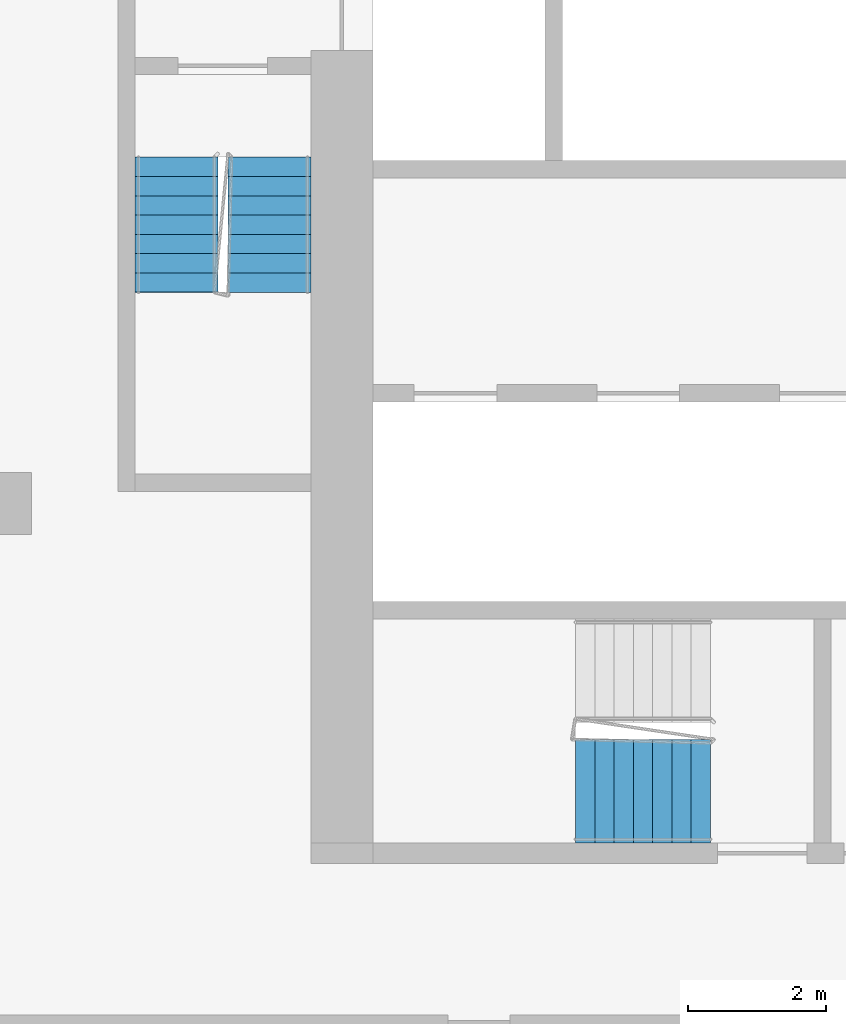
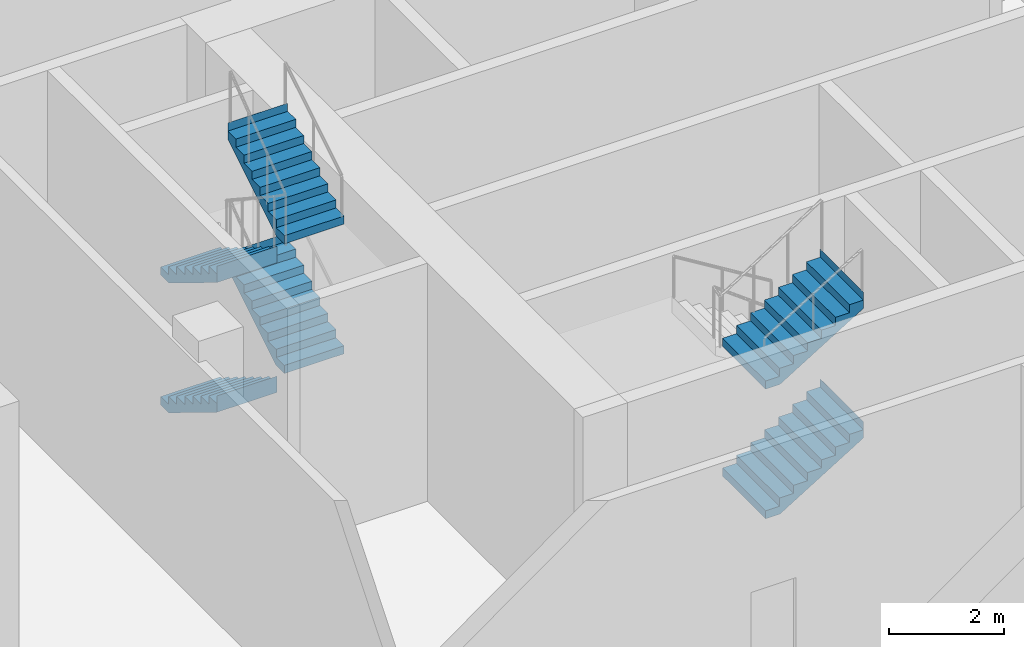
# One storey, part 14 of 21: 6 stair flights, 2 elements without a shape of their own.
"""IFC4 building model written with IfcOpenShell, lengths in metres."""

import ifcopenshell
import ifcopenshell.guid

model = None  # the IFC model being written
_history = None  # IfcOwnerHistory: only IFC2X3 demands one
_inside = {}  # id of a spatial element -> (the spatial element, [elements in it])
_under = {}  # id of a project, library or spatial element -> (it, [spatial elements below it])
_declared = {}  # id of a project -> (the project, [libraries it declares])
_typed = {}  # id of a type object -> (the type object, [elements of that type])
_made_of = {}  # id of a material, layer set ... -> (it, [elements and type objects made of it])


def new_model(schema):
    """Start an empty IFC model of exactly this schema.

    Asked for "IFC4X3", IfcOpenShell would pick the latest addendum, in which some entities
    have other attributes; the version numbers below select the first issue.
    IFC2X3 requires an IfcOwnerHistory on every rooted entity: one is made here for all.
    """
    global model, _history
    if schema == "IFC4X3":
        model = ifcopenshell.file(schema_version=(4, 3, 0, 0))
    else:
        model = ifcopenshell.file(schema=schema)
    _inside.clear()
    _under.clear()
    _declared.clear()
    _typed.clear()
    _made_of.clear()
    _history = None
    if model.schema == "IFC2X3":
        org = make("IfcOrganization", Name="unknown")
        user = make(
            "IfcPersonAndOrganization",
            ThePerson=make("IfcPerson", FamilyName="unknown"),
            TheOrganization=org,
        )
        app = make(
            "IfcApplication",
            ApplicationDeveloper=org,
            Version="unknown",
            ApplicationFullName="unknown",
            ApplicationIdentifier="unknown",
        )
        _history = make(
            "IfcOwnerHistory",
            OwningUser=user,
            OwningApplication=app,
            ChangeAction="ADDED",
            CreationDate=0,
        )
    return model


def make(cls, **values):
    """One entity of the class cls with the attributes given. An attribute that is None is left unset."""
    return model.create_entity(
        cls, **{name: value for name, value in values.items() if value is not None}
    )


def rooted(cls, **values):
    """An entity with a GlobalId (a new one), such as an element, a storey or a relation."""
    return make(cls, GlobalId=ifcopenshell.guid.new(), OwnerHistory=_history, **values)


def si_unit(unit_type, name, prefix=None):
    """IfcSIUnit, for example si_unit("LENGTHUNIT", "METRE", prefix="MILLI")."""
    return make("IfcSIUnit", UnitType=unit_type, Prefix=prefix, Name=name)


def assignment(units):
    """IfcUnitAssignment: the units of a project."""
    return None if units is None else make("IfcUnitAssignment", Units=units)


def point(xyz):
    """IfcCartesianPoint."""
    return None if xyz is None else make("IfcCartesianPoint", Coordinates=xyz)


def direction(xyz):
    """IfcDirection."""
    return None if xyz is None else make("IfcDirection", DirectionRatios=xyz)


def frame(location, z_axis=None, x_axis=None):
    """IfcAxis2Placement3D, a coordinate frame: its origin and axes. An axis left out is left unset."""
    return make(
        "IfcAxis2Placement3D",
        Location=point(location),
        Axis=direction(z_axis),
        RefDirection=direction(x_axis),
    )


def origin():
    """The frame at (0, 0, 0) with its axes left unset."""
    return frame((0.0, 0.0, 0.0))


def place(relative_to, where):
    """IfcLocalPlacement: puts the frame where relative to a parent placement (None: the world)."""
    return make(
        "IfcLocalPlacement", PlacementRelTo=relative_to, RelativePlacement=where
    )


def context(
    kind, dimensions, precision=None, world=None, true_north=None, identifier=None
):
    """IfcGeometricRepresentationContext, for example the 3D "Model" context."""
    return make(
        "IfcGeometricRepresentationContext",
        ContextIdentifier=identifier,
        ContextType=kind,
        CoordinateSpaceDimension=dimensions,
        Precision=precision,
        WorldCoordinateSystem=world,
        TrueNorth=true_north,
    )


def subcontext(parent, identifier, kind, view, scale=None):
    """IfcGeometricRepresentationSubContext, for example "Body" below "Model"."""
    return make(
        "IfcGeometricRepresentationSubContext",
        ContextIdentifier=identifier,
        ContextType=kind,
        ParentContext=parent,
        TargetScale=scale,
        TargetView=view,
    )


def project(units=None, contexts=None):
    """IfcProject with its units and contexts."""
    return rooted(
        "IfcProject",
        Name="project",
        RepresentationContexts=contexts,
        UnitsInContext=assignment(units),
    )


def spatial(cls, under=None, at=None, **own):
    """A site, building, storey or space (cls), placed at a placement, below another one or the project."""
    s = rooted(cls, ObjectPlacement=at, **own)
    if under is not None:
        _under.setdefault(under.id(), (under, []))[1].append(s)
    return s


def faces_of(points, faces, orient=None, outer=None):
    """IfcFace entities. A face is a list of loops; a loop is a list of indices into points, from 0.

    orient and outer hold one flag for each loop. By default every Orientation is true, the
    first loop of a face is its IfcFaceOuterBound and the others are IfcFaceBound.
    """
    made = []
    for i, loops in enumerate(faces):
        bounds = []
        for j, loop in enumerate(loops):
            is_outer = j == 0 if outer is None else outer[i][j]
            bounds.append(
                make(
                    "IfcFaceOuterBound" if is_outer else "IfcFaceBound",
                    Bound=make("IfcPolyLoop", Polygon=[points[k] for k in loop]),
                    Orientation=True if orient is None else orient[i][j],
                )
            )
        made.append(make("IfcFace", Bounds=bounds))
    return made


def faceted_brep(points, faces, orient=None, outer=None, voids=None):
    """IfcFacetedBrep: a solid bounded by flat faces; with voids (closed shells), ...WithVoids."""
    shared = [point(p) for p in points]
    hull = make("IfcClosedShell", CfsFaces=faces_of(shared, faces, orient, outer))
    if voids is None:
        return make("IfcFacetedBrep", Outer=hull)
    return make(
        "IfcFacetedBrepWithVoids",
        Outer=hull,
        Voids=[
            make(cls, CfsFaces=faces_of(shared, fs, o, b)) for cls, fs, o, b in voids
        ],
    )


def shape(context_of_items, identifier, shape_type, items):
    """IfcShapeRepresentation: the items that make up one representation, for example the "Body"."""
    return make(
        "IfcShapeRepresentation",
        ContextOfItems=context_of_items,
        RepresentationIdentifier=identifier,
        RepresentationType=shape_type,
        Items=items,
    )


def material(Name=None, Category=None):
    """IfcMaterial."""
    return make("IfcMaterial", Name=Name, Category=Category)


def made_of(thing, what):
    """Note that an element or type object is made of a material, layer set ...; save() writes the relation."""
    if what is not None:
        _made_of.setdefault(what.id(), (what, []))[1].append(thing)
    return thing


def type_object(cls, material=None, **own):
    """A type object (cls), such as IfcWallType, which elements share."""
    return made_of(rooted(cls, **own), material)


def element(
    cls,
    number,
    at=None,
    inside=None,
    cuts=None,
    type_object=None,
    material=None,
    context=None,
    identifier="Body",
    shape_type=None,
    held_by="IfcProductDefinitionShape",
    body=None,
    shapes=None,
    **own,
):
    """One element of the class cls, such as IfcWall. Its Tag is "e" and its number.

    at: its placement. inside: the storey or other place that contains it. cuts: it is an
    opening in that element (IfcRelVoidsElement). A single representation is given by context,
    identifier, shape_type and body (its items); several are given by shapes. held_by: the class
    of the entity that holds the representations. save() writes the other relations.
    """
    e = rooted(cls, Tag="e%d" % number, ObjectPlacement=at, **own)
    if body is not None:
        shapes = [shape(context, identifier, shape_type, body)]
    if shapes is not None:
        e.Representation = make(held_by, Representations=shapes)
    if inside is not None:
        _inside.setdefault(inside.id(), (inside, []))[1].append(e)
    if cuts is not None:
        rooted(
            "IfcRelVoidsElement", RelatingBuildingElement=cuts, RelatedOpeningElement=e
        )
    if type_object is not None:
        _typed.setdefault(type_object.id(), (type_object, []))[1].append(e)
    return made_of(e, material)


def aggregate(whole, parts):
    """IfcRelAggregates: a whole, such as a stair, and the parts it consists of."""
    return rooted("IfcRelAggregates", RelatingObject=whole, RelatedObjects=parts)


def save(model, path):
    """Write the relations noted so far, then the file.

    IfcRelAggregates (storeys below a building ...), IfcRelContainedInSpatialStructure (elements
    in a storey), IfcRelDefinesByType, IfcRelAssociatesMaterial and IfcRelDeclares: one each for
    every whole, place, type object, material and project.
    """
    for whole, parts in _under.values():
        aggregate(whole, parts)
    for where, things in _inside.values():
        rooted(
            "IfcRelContainedInSpatialStructure",
            RelatedElements=things,
            RelatingStructure=where,
        )
    for kind, things in _typed.values():
        rooted("IfcRelDefinesByType", RelatedObjects=things, RelatingType=kind)
    for what, things in _made_of.values():
        rooted("IfcRelAssociatesMaterial", RelatedObjects=things, RelatingMaterial=what)
    for by, libraries in _declared.values():
        rooted("IfcRelDeclares", RelatingContext=by, RelatedDefinitions=libraries)
    model.write(path)


model = new_model("IFC4")

# Units and contexts
model_context = context("Model", 3, precision=1e-05, world=origin(), true_north=direction((0.0, 1.0)))
body_context = subcontext(model_context, "Body", "Model", "MODEL_VIEW")
ifc_project = project(units=[si_unit("LENGTHUNIT", "METRE"), si_unit("AREAUNIT", "SQUARE_METRE"), si_unit("VOLUMEUNIT", "CUBIC_METRE"), si_unit("PLANEANGLEUNIT", "RADIAN"), si_unit("MASSUNIT", "GRAM", prefix="KILO")], contexts=[model_context])

# Site, building, storey
site_placement = place(None, origin())
site = spatial("IfcSite", under=ifc_project, at=site_placement, CompositionType="ELEMENT")
building_placement = place(site_placement, origin())
building = spatial("IfcBuilding", under=site, at=building_placement, Name="Kajstack Hotel Tower", CompositionType="ELEMENT")
storey_placement = place(building_placement, frame((0.0, 0.0, 23.5)))
storey = spatial("IfcBuildingStorey", under=building, at=storey_placement, Name="L03", CompositionType="ELEMENT", Elevation=23.5)

# Stair, stair flights
ifc_material = material(Name="Concrete C40/50", Category="concrete")
stair_type_1 = type_object("IfcStairType", Name="Exit stair 1200", PredefinedType="HALF_TURN_STAIR", material=ifc_material)
stair_1_placement = place(storey_placement, origin())
stair_1 = element("IfcStair", 1, at=stair_1_placement, inside=storey, type_object=stair_type_1, Name="L03 stair W1", PredefinedType="HALF_TURN_STAIR")
stair_flight_type_1 = type_object("IfcStairFlightType", Name="Exit stair flight 1200", PredefinedType="STRAIGHT", material=ifc_material)
stair_flight_1_placement = place(storey_placement, frame((-33.449951171875, -5.25, 0.0), z_axis=(0.0, 0.0, 1.0), x_axis=(0.0, -1.0, 0.0)))
stair_flight_1 = element("IfcStairFlight", 2, at=stair_flight_1_placement, type_object=stair_flight_type_1, Name="W1 flight 1", NumberOfRisers=8, NumberOfTreads=7, PredefinedType="STRAIGHT", RiserHeight=0.171875, TreadLength=0.28, context=body_context, shape_type="Brep", body=[
    faceted_brep([(0.287109375, -0.60009765625, 0.0), (1.96044921875, -0.60009765625, 1.02734375), (1.96044921875, -0.60009765625, 1.375), (1.9599609375, -0.60009765625, 1.375), (1.9599609375, -0.60009765625, 1.203125), (1.679931640625, -0.60009765625, 1.203125), (1.679931640625, -0.60009765625, 1.03125), (1.39990234375, -0.60009765625, 1.03125), (1.39990234375, -0.60009765625, 0.859375), (1.1201171875, -0.60009765625, 0.859375), (1.1201171875, -0.60009765625, 0.6875), (0.840087890625, -0.60009765625, 0.6875), (0.840087890625, -0.60009765625, 0.515625), (0.56005859375, -0.60009765625, 0.515625), (0.56005859375, -0.60009765625, 0.34375), (0.280029296875, -0.60009765625, 0.34375), (0.280029296875, -0.60009765625, 0.171875), (-0.00048828125, -0.60009765625, 0.171875), (-0.00048828125, -0.60009765625, 0.0), (-0.00048828125, 0.60009765625, 0.0), (-0.00048828125, 0.60009765625, 0.171875), (0.280029296875, 0.60009765625, 0.171875), (0.280029296875, 0.60009765625, 0.34375), (0.56005859375, 0.60009765625, 0.34375), (0.56005859375, 0.60009765625, 0.515625), (0.840087890625, 0.60009765625, 0.515625), (0.840087890625, 0.60009765625, 0.6875), (1.1201171875, 0.60009765625, 0.6875), (1.1201171875, 0.60009765625, 0.859375), (1.39990234375, 0.60009765625, 0.859375), (1.39990234375, 0.60009765625, 1.03125), (1.679931640625, 0.60009765625, 1.03125), (1.679931640625, 0.60009765625, 1.203125), (1.9599609375, 0.60009765625, 1.203125), (1.9599609375, 0.60009765625, 1.375), (1.96044921875, 0.60009765625, 1.375), (1.96044921875, 0.60009765625, 1.02734375), (0.287109375, 0.60009765625, 0.0), (-0.00048828125, -0.300048828125, 0.171875), (-0.00048828125, 0.0, 0.171875), (-0.00048828125, 0.300048828125, 0.171875), (-0.00048828125, 0.300048828125, 0.0), (-0.00048828125, 0.0, 0.0), (-0.00048828125, -0.300048828125, 0.0), (0.280029296875, -0.300048828125, 0.171875), (0.280029296875, 0.0, 0.171875), (0.280029296875, 0.300048828125, 0.171875), (0.280029296875, -0.300048828125, 0.34375), (0.280029296875, 0.0, 0.34375), (0.280029296875, 0.300048828125, 0.34375), (0.56005859375, -0.300048828125, 0.34375), (0.56005859375, 0.0, 0.34375), (0.56005859375, 0.300048828125, 0.34375), (0.56005859375, -0.300048828125, 0.515625), (0.56005859375, 0.0, 0.515625), (0.56005859375, 0.300048828125, 0.515625), (0.840087890625, -0.300048828125, 0.515625), (0.840087890625, 0.0, 0.515625), (0.840087890625, 0.300048828125, 0.515625), (0.840087890625, -0.300048828125, 0.6875), (0.840087890625, 0.0, 0.6875), (0.840087890625, 0.300048828125, 0.6875), (1.1201171875, -0.300048828125, 0.6875), (1.1201171875, 0.0, 0.6875), (1.1201171875, 0.300048828125, 0.6875), (1.1201171875, -0.300048828125, 0.859375), (1.1201171875, 0.0, 0.859375), (1.1201171875, 0.300048828125, 0.859375), (1.39990234375, -0.300048828125, 0.859375), (1.39990234375, 0.0, 0.859375), (1.39990234375, 0.300048828125, 0.859375), (1.39990234375, -0.300048828125, 1.03125), (1.39990234375, 0.0, 1.03125), (1.39990234375, 0.300048828125, 1.03125), (1.679931640625, -0.300048828125, 1.03125), (1.679931640625, 0.0, 1.03125), (1.679931640625, 0.300048828125, 1.03125), (1.679931640625, -0.300048828125, 1.203125), (1.679931640625, 0.0, 1.203125), (1.679931640625, 0.300048828125, 1.203125), (1.9599609375, -0.300048828125, 1.203125), (1.9599609375, 0.0, 1.203125), (1.9599609375, 0.300048828125, 1.203125), (1.9599609375, -0.300048828125, 1.375), (1.9599609375, 0.0, 1.375), (1.9599609375, 0.300048828125, 1.375), (1.96044921875, -0.300048828125, 1.375), (1.96044921875, 0.0, 1.375), (1.96044921875, 0.300048828125, 1.375), (1.96044921875, -0.300048828125, 1.02734375), (1.96044921875, 0.0, 1.02734375), (1.96044921875, 0.300048828125, 1.02734375), (0.287109375, -0.300048828125, 0.0), (0.287109375, 0.0, 0.0), (0.287109375, 0.300048828125, 0.0)], [[[0, 1, 2, 3, 4, 5, 6, 7, 8, 9, 10, 11, 12, 13, 14, 15, 16, 17, 18]], [[19, 20, 21, 22, 23, 24, 25, 26, 27, 28, 29, 30, 31, 32, 33, 34, 35, 36, 37]], [[17, 38, 39, 40, 20, 19, 41, 42, 43, 18]], [[16, 44, 45, 46, 21, 20, 40, 39, 38, 17]], [[15, 47, 48, 49, 22, 21, 46, 45, 44, 16]], [[14, 50, 51, 52, 23, 22, 49, 48, 47, 15]], [[13, 53, 54, 55, 24, 23, 52, 51, 50, 14]], [[12, 56, 57, 58, 25, 24, 55, 54, 53, 13]], [[11, 59, 60, 61, 26, 25, 58, 57, 56, 12]], [[10, 62, 63, 64, 27, 26, 61, 60, 59, 11]], [[9, 65, 66, 67, 28, 27, 64, 63, 62, 10]], [[8, 68, 69, 70, 29, 28, 67, 66, 65, 9]], [[7, 71, 72, 73, 30, 29, 70, 69, 68, 8]], [[6, 74, 75, 76, 31, 30, 73, 72, 71, 7]], [[5, 77, 78, 79, 32, 31, 76, 75, 74, 6]], [[4, 80, 81, 82, 33, 32, 79, 78, 77, 5]], [[3, 83, 84, 85, 34, 33, 82, 81, 80, 4]], [[2, 86, 87, 88, 35, 34, 85, 84, 83, 3]], [[1, 89, 90, 91, 36, 35, 88, 87, 86, 2]], [[0, 92, 93, 94, 37, 36, 91, 90, 89, 1]], [[18, 43, 42, 41, 19, 37, 94, 93, 92, 0]]]),
])
stair_flight_2_placement = place(storey_placement, frame((-32.10009765625, -7.2099609375, 1.375), z_axis=(0.0, 0.0, 1.0), x_axis=(0.0, 1.0, 0.0)))
stair_flight_2 = element("IfcStairFlight", 3, at=stair_flight_2_placement, type_object=stair_flight_type_1, Name="W1 flight 2", NumberOfRisers=8, NumberOfTreads=7, PredefinedType="STRAIGHT", RiserHeight=0.171875, TreadLength=0.28, context=body_context, shape_type="Brep", body=[
    faceted_brep([(0.287109375, -0.60009765625, 0.0), (1.96044921875, -0.60009765625, 1.02734375), (1.96044921875, -0.60009765625, 1.375), (1.9599609375, -0.60009765625, 1.375), (1.9599609375, -0.60009765625, 1.203125), (1.679931640625, -0.60009765625, 1.203125), (1.679931640625, -0.60009765625, 1.03125), (1.39990234375, -0.60009765625, 1.03125), (1.39990234375, -0.60009765625, 0.859375), (1.1201171875, -0.60009765625, 0.859375), (1.1201171875, -0.60009765625, 0.6875), (0.840087890625, -0.60009765625, 0.6875), (0.840087890625, -0.60009765625, 0.515625), (0.56005859375, -0.60009765625, 0.515625), (0.56005859375, -0.60009765625, 0.34375), (0.280029296875, -0.60009765625, 0.34375), (0.280029296875, -0.60009765625, 0.171875), (-0.00048828125, -0.60009765625, 0.171875), (-0.00048828125, -0.60009765625, 0.0), (-0.00048828125, 0.60009765625, 0.0), (-0.00048828125, 0.60009765625, 0.171875), (0.280029296875, 0.60009765625, 0.171875), (0.280029296875, 0.60009765625, 0.34375), (0.56005859375, 0.60009765625, 0.34375), (0.56005859375, 0.60009765625, 0.515625), (0.840087890625, 0.60009765625, 0.515625), (0.840087890625, 0.60009765625, 0.6875), (1.1201171875, 0.60009765625, 0.6875), (1.1201171875, 0.60009765625, 0.859375), (1.39990234375, 0.60009765625, 0.859375), (1.39990234375, 0.60009765625, 1.03125), (1.679931640625, 0.60009765625, 1.03125), (1.679931640625, 0.60009765625, 1.203125), (1.9599609375, 0.60009765625, 1.203125), (1.9599609375, 0.60009765625, 1.375), (1.96044921875, 0.60009765625, 1.375), (1.96044921875, 0.60009765625, 1.02734375), (0.287109375, 0.60009765625, 0.0), (-0.00048828125, -0.300048828125, 0.171875), (-0.00048828125, 0.0, 0.171875), (-0.00048828125, 0.300048828125, 0.171875), (-0.00048828125, 0.300048828125, 0.0), (-0.00048828125, 0.0, 0.0), (-0.00048828125, -0.300048828125, 0.0), (0.280029296875, -0.300048828125, 0.171875), (0.280029296875, 0.0, 0.171875), (0.280029296875, 0.300048828125, 0.171875), (0.280029296875, -0.300048828125, 0.34375), (0.280029296875, 0.0, 0.34375), (0.280029296875, 0.300048828125, 0.34375), (0.56005859375, -0.300048828125, 0.34375), (0.56005859375, 0.0, 0.34375), (0.56005859375, 0.300048828125, 0.34375), (0.56005859375, -0.300048828125, 0.515625), (0.56005859375, 0.0, 0.515625), (0.56005859375, 0.300048828125, 0.515625), (0.840087890625, -0.300048828125, 0.515625), (0.840087890625, 0.0, 0.515625), (0.840087890625, 0.300048828125, 0.515625), (0.840087890625, -0.300048828125, 0.6875), (0.840087890625, 0.0, 0.6875), (0.840087890625, 0.300048828125, 0.6875), (1.1201171875, -0.300048828125, 0.6875), (1.1201171875, 0.0, 0.6875), (1.1201171875, 0.300048828125, 0.6875), (1.1201171875, -0.300048828125, 0.859375), (1.1201171875, 0.0, 0.859375), (1.1201171875, 0.300048828125, 0.859375), (1.39990234375, -0.300048828125, 0.859375), (1.39990234375, 0.0, 0.859375), (1.39990234375, 0.300048828125, 0.859375), (1.39990234375, -0.300048828125, 1.03125), (1.39990234375, 0.0, 1.03125), (1.39990234375, 0.300048828125, 1.03125), (1.679931640625, -0.300048828125, 1.03125), (1.679931640625, 0.0, 1.03125), (1.679931640625, 0.300048828125, 1.03125), (1.679931640625, -0.300048828125, 1.203125), (1.679931640625, 0.0, 1.203125), (1.679931640625, 0.300048828125, 1.203125), (1.9599609375, -0.300048828125, 1.203125), (1.9599609375, 0.0, 1.203125), (1.9599609375, 0.300048828125, 1.203125), (1.9599609375, -0.300048828125, 1.375), (1.9599609375, 0.0, 1.375), (1.9599609375, 0.300048828125, 1.375), (1.96044921875, -0.300048828125, 1.375), (1.96044921875, 0.0, 1.375), (1.96044921875, 0.300048828125, 1.375), (1.96044921875, -0.300048828125, 1.02734375), (1.96044921875, 0.0, 1.02734375), (1.96044921875, 0.300048828125, 1.02734375), (0.287109375, -0.300048828125, 0.0), (0.287109375, 0.0, 0.0), (0.287109375, 0.300048828125, 0.0)], [[[0, 1, 2, 3, 4, 5, 6, 7, 8, 9, 10, 11, 12, 13, 14, 15, 16, 17, 18]], [[19, 20, 21, 22, 23, 24, 25, 26, 27, 28, 29, 30, 31, 32, 33, 34, 35, 36, 37]], [[17, 38, 39, 40, 20, 19, 41, 42, 43, 18]], [[16, 44, 45, 46, 21, 20, 40, 39, 38, 17]], [[15, 47, 48, 49, 22, 21, 46, 45, 44, 16]], [[14, 50, 51, 52, 23, 22, 49, 48, 47, 15]], [[13, 53, 54, 55, 24, 23, 52, 51, 50, 14]], [[12, 56, 57, 58, 25, 24, 55, 54, 53, 13]], [[11, 59, 60, 61, 26, 25, 58, 57, 56, 12]], [[10, 62, 63, 64, 27, 26, 61, 60, 59, 11]], [[9, 65, 66, 67, 28, 27, 64, 63, 62, 10]], [[8, 68, 69, 70, 29, 28, 67, 66, 65, 9]], [[7, 71, 72, 73, 30, 29, 70, 69, 68, 8]], [[6, 74, 75, 76, 31, 30, 73, 72, 71, 7]], [[5, 77, 78, 79, 32, 31, 76, 75, 74, 6]], [[4, 80, 81, 82, 33, 32, 79, 78, 77, 5]], [[3, 83, 84, 85, 34, 33, 82, 81, 80, 4]], [[2, 86, 87, 88, 35, 34, 85, 84, 83, 3]], [[1, 89, 90, 91, 36, 35, 88, 87, 86, 2]], [[0, 92, 93, 94, 37, 36, 91, 90, 89, 1]], [[18, 43, 42, 41, 19, 37, 94, 93, 92, 0]]]),
])
stair_flight_3_placement = place(storey_placement, frame((-33.449951171875, -5.25, 2.75), z_axis=(0.0, 0.0, 1.0), x_axis=(0.0, -1.0, 0.0)))
stair_flight_3 = element("IfcStairFlight", 4, at=stair_flight_3_placement, type_object=stair_flight_type_1, Name="W1 flight 3", NumberOfRisers=8, NumberOfTreads=7, PredefinedType="STRAIGHT", RiserHeight=0.171875, TreadLength=0.28, context=body_context, shape_type="Brep", body=[
    faceted_brep([(0.287109375, -0.60009765625, 0.0), (1.96044921875, -0.60009765625, 1.02734375), (1.96044921875, -0.60009765625, 1.375), (1.9599609375, -0.60009765625, 1.375), (1.9599609375, -0.60009765625, 1.203125), (1.679931640625, -0.60009765625, 1.203125), (1.679931640625, -0.60009765625, 1.03125), (1.39990234375, -0.60009765625, 1.03125), (1.39990234375, -0.60009765625, 0.859375), (1.1201171875, -0.60009765625, 0.859375), (1.1201171875, -0.60009765625, 0.6875), (0.840087890625, -0.60009765625, 0.6875), (0.840087890625, -0.60009765625, 0.515625), (0.56005859375, -0.60009765625, 0.515625), (0.56005859375, -0.60009765625, 0.34375), (0.280029296875, -0.60009765625, 0.34375), (0.280029296875, -0.60009765625, 0.171875), (-0.00048828125, -0.60009765625, 0.171875), (-0.00048828125, -0.60009765625, 0.0), (-0.00048828125, 0.60009765625, 0.0), (-0.00048828125, 0.60009765625, 0.171875), (0.280029296875, 0.60009765625, 0.171875), (0.280029296875, 0.60009765625, 0.34375), (0.56005859375, 0.60009765625, 0.34375), (0.56005859375, 0.60009765625, 0.515625), (0.840087890625, 0.60009765625, 0.515625), (0.840087890625, 0.60009765625, 0.6875), (1.1201171875, 0.60009765625, 0.6875), (1.1201171875, 0.60009765625, 0.859375), (1.39990234375, 0.60009765625, 0.859375), (1.39990234375, 0.60009765625, 1.03125), (1.679931640625, 0.60009765625, 1.03125), (1.679931640625, 0.60009765625, 1.203125), (1.9599609375, 0.60009765625, 1.203125), (1.9599609375, 0.60009765625, 1.375), (1.96044921875, 0.60009765625, 1.375), (1.96044921875, 0.60009765625, 1.02734375), (0.287109375, 0.60009765625, 0.0), (-0.00048828125, -0.300048828125, 0.171875), (-0.00048828125, 0.0, 0.171875), (-0.00048828125, 0.300048828125, 0.171875), (-0.00048828125, 0.300048828125, 0.0), (-0.00048828125, 0.0, 0.0), (-0.00048828125, -0.300048828125, 0.0), (0.280029296875, -0.300048828125, 0.171875), (0.280029296875, 0.0, 0.171875), (0.280029296875, 0.300048828125, 0.171875), (0.280029296875, -0.300048828125, 0.34375), (0.280029296875, 0.0, 0.34375), (0.280029296875, 0.300048828125, 0.34375), (0.56005859375, -0.300048828125, 0.34375), (0.56005859375, 0.0, 0.34375), (0.56005859375, 0.300048828125, 0.34375), (0.56005859375, -0.300048828125, 0.515625), (0.56005859375, 0.0, 0.515625), (0.56005859375, 0.300048828125, 0.515625), (0.840087890625, -0.300048828125, 0.515625), (0.840087890625, 0.0, 0.515625), (0.840087890625, 0.300048828125, 0.515625), (0.840087890625, -0.300048828125, 0.6875), (0.840087890625, 0.0, 0.6875), (0.840087890625, 0.300048828125, 0.6875), (1.1201171875, -0.300048828125, 0.6875), (1.1201171875, 0.0, 0.6875), (1.1201171875, 0.300048828125, 0.6875), (1.1201171875, -0.300048828125, 0.859375), (1.1201171875, 0.0, 0.859375), (1.1201171875, 0.300048828125, 0.859375), (1.39990234375, -0.300048828125, 0.859375), (1.39990234375, 0.0, 0.859375), (1.39990234375, 0.300048828125, 0.859375), (1.39990234375, -0.300048828125, 1.03125), (1.39990234375, 0.0, 1.03125), (1.39990234375, 0.300048828125, 1.03125), (1.679931640625, -0.300048828125, 1.03125), (1.679931640625, 0.0, 1.03125), (1.679931640625, 0.300048828125, 1.03125), (1.679931640625, -0.300048828125, 1.203125), (1.679931640625, 0.0, 1.203125), (1.679931640625, 0.300048828125, 1.203125), (1.9599609375, -0.300048828125, 1.203125), (1.9599609375, 0.0, 1.203125), (1.9599609375, 0.300048828125, 1.203125), (1.9599609375, -0.300048828125, 1.375), (1.9599609375, 0.0, 1.375), (1.9599609375, 0.300048828125, 1.375), (1.96044921875, -0.300048828125, 1.375), (1.96044921875, 0.0, 1.375), (1.96044921875, 0.300048828125, 1.375), (1.96044921875, -0.300048828125, 1.02734375), (1.96044921875, 0.0, 1.02734375), (1.96044921875, 0.300048828125, 1.02734375), (0.287109375, -0.300048828125, 0.0), (0.287109375, 0.0, 0.0), (0.287109375, 0.300048828125, 0.0)], [[[0, 1, 2, 3, 4, 5, 6, 7, 8, 9, 10, 11, 12, 13, 14, 15, 16, 17, 18]], [[19, 20, 21, 22, 23, 24, 25, 26, 27, 28, 29, 30, 31, 32, 33, 34, 35, 36, 37]], [[17, 38, 39, 40, 20, 19, 41, 42, 43, 18]], [[16, 44, 45, 46, 21, 20, 40, 39, 38, 17]], [[15, 47, 48, 49, 22, 21, 46, 45, 44, 16]], [[14, 50, 51, 52, 23, 22, 49, 48, 47, 15]], [[13, 53, 54, 55, 24, 23, 52, 51, 50, 14]], [[12, 56, 57, 58, 25, 24, 55, 54, 53, 13]], [[11, 59, 60, 61, 26, 25, 58, 57, 56, 12]], [[10, 62, 63, 64, 27, 26, 61, 60, 59, 11]], [[9, 65, 66, 67, 28, 27, 64, 63, 62, 10]], [[8, 68, 69, 70, 29, 28, 67, 66, 65, 9]], [[7, 71, 72, 73, 30, 29, 70, 69, 68, 8]], [[6, 74, 75, 76, 31, 30, 73, 72, 71, 7]], [[5, 77, 78, 79, 32, 31, 76, 75, 74, 6]], [[4, 80, 81, 82, 33, 32, 79, 78, 77, 5]], [[3, 83, 84, 85, 34, 33, 82, 81, 80, 4]], [[2, 86, 87, 88, 35, 34, 85, 84, 83, 3]], [[1, 89, 90, 91, 36, 35, 88, 87, 86, 2]], [[0, 92, 93, 94, 37, 36, 91, 90, 89, 1]], [[18, 43, 42, 41, 19, 37, 94, 93, 92, 0]]]),
])
stair_flight_4_placement = place(storey_placement, frame((-32.10009765625, -7.2099609375, 4.125), z_axis=(0.0, 0.0, 1.0), x_axis=(0.0, 1.0, 0.0)))
stair_flight_4 = element("IfcStairFlight", 5, at=stair_flight_4_placement, type_object=stair_flight_type_1, Name="W1 flight 4", NumberOfRisers=8, NumberOfTreads=7, PredefinedType="STRAIGHT", RiserHeight=0.171875, TreadLength=0.28, context=body_context, shape_type="Brep", body=[
    faceted_brep([(0.287109375, -0.60009765625, 0.0), (1.96044921875, -0.60009765625, 1.02734375), (1.96044921875, -0.60009765625, 1.375), (1.9599609375, -0.60009765625, 1.375), (1.9599609375, -0.60009765625, 1.203125), (1.679931640625, -0.60009765625, 1.203125), (1.679931640625, -0.60009765625, 1.03125), (1.39990234375, -0.60009765625, 1.03125), (1.39990234375, -0.60009765625, 0.859375), (1.1201171875, -0.60009765625, 0.859375), (1.1201171875, -0.60009765625, 0.6875), (0.840087890625, -0.60009765625, 0.6875), (0.840087890625, -0.60009765625, 0.515625), (0.56005859375, -0.60009765625, 0.515625), (0.56005859375, -0.60009765625, 0.34375), (0.280029296875, -0.60009765625, 0.34375), (0.280029296875, -0.60009765625, 0.171875), (-0.00048828125, -0.60009765625, 0.171875), (-0.00048828125, -0.60009765625, 0.0), (-0.00048828125, 0.60009765625, 0.0), (-0.00048828125, 0.60009765625, 0.171875), (0.280029296875, 0.60009765625, 0.171875), (0.280029296875, 0.60009765625, 0.34375), (0.56005859375, 0.60009765625, 0.34375), (0.56005859375, 0.60009765625, 0.515625), (0.840087890625, 0.60009765625, 0.515625), (0.840087890625, 0.60009765625, 0.6875), (1.1201171875, 0.60009765625, 0.6875), (1.1201171875, 0.60009765625, 0.859375), (1.39990234375, 0.60009765625, 0.859375), (1.39990234375, 0.60009765625, 1.03125), (1.679931640625, 0.60009765625, 1.03125), (1.679931640625, 0.60009765625, 1.203125), (1.9599609375, 0.60009765625, 1.203125), (1.9599609375, 0.60009765625, 1.375), (1.96044921875, 0.60009765625, 1.375), (1.96044921875, 0.60009765625, 1.02734375), (0.287109375, 0.60009765625, 0.0), (-0.00048828125, -0.300048828125, 0.171875), (-0.00048828125, 0.0, 0.171875), (-0.00048828125, 0.300048828125, 0.171875), (-0.00048828125, 0.300048828125, 0.0), (-0.00048828125, 0.0, 0.0), (-0.00048828125, -0.300048828125, 0.0), (0.280029296875, -0.300048828125, 0.171875), (0.280029296875, 0.0, 0.171875), (0.280029296875, 0.300048828125, 0.171875), (0.280029296875, -0.300048828125, 0.34375), (0.280029296875, 0.0, 0.34375), (0.280029296875, 0.300048828125, 0.34375), (0.56005859375, -0.300048828125, 0.34375), (0.56005859375, 0.0, 0.34375), (0.56005859375, 0.300048828125, 0.34375), (0.56005859375, -0.300048828125, 0.515625), (0.56005859375, 0.0, 0.515625), (0.56005859375, 0.300048828125, 0.515625), (0.840087890625, -0.300048828125, 0.515625), (0.840087890625, 0.0, 0.515625), (0.840087890625, 0.300048828125, 0.515625), (0.840087890625, -0.300048828125, 0.6875), (0.840087890625, 0.0, 0.6875), (0.840087890625, 0.300048828125, 0.6875), (1.1201171875, -0.300048828125, 0.6875), (1.1201171875, 0.0, 0.6875), (1.1201171875, 0.300048828125, 0.6875), (1.1201171875, -0.300048828125, 0.859375), (1.1201171875, 0.0, 0.859375), (1.1201171875, 0.300048828125, 0.859375), (1.39990234375, -0.300048828125, 0.859375), (1.39990234375, 0.0, 0.859375), (1.39990234375, 0.300048828125, 0.859375), (1.39990234375, -0.300048828125, 1.03125), (1.39990234375, 0.0, 1.03125), (1.39990234375, 0.300048828125, 1.03125), (1.679931640625, -0.300048828125, 1.03125), (1.679931640625, 0.0, 1.03125), (1.679931640625, 0.300048828125, 1.03125), (1.679931640625, -0.300048828125, 1.203125), (1.679931640625, 0.0, 1.203125), (1.679931640625, 0.300048828125, 1.203125), (1.9599609375, -0.300048828125, 1.203125), (1.9599609375, 0.0, 1.203125), (1.9599609375, 0.300048828125, 1.203125), (1.9599609375, -0.300048828125, 1.375), (1.9599609375, 0.0, 1.375), (1.9599609375, 0.300048828125, 1.375), (1.96044921875, -0.300048828125, 1.375), (1.96044921875, 0.0, 1.375), (1.96044921875, 0.300048828125, 1.375), (1.96044921875, -0.300048828125, 1.02734375), (1.96044921875, 0.0, 1.02734375), (1.96044921875, 0.300048828125, 1.02734375), (0.287109375, -0.300048828125, 0.0), (0.287109375, 0.0, 0.0), (0.287109375, 0.300048828125, 0.0)], [[[0, 1, 2, 3, 4, 5, 6, 7, 8, 9, 10, 11, 12, 13, 14, 15, 16, 17, 18]], [[19, 20, 21, 22, 23, 24, 25, 26, 27, 28, 29, 30, 31, 32, 33, 34, 35, 36, 37]], [[17, 38, 39, 40, 20, 19, 41, 42, 43, 18]], [[16, 44, 45, 46, 21, 20, 40, 39, 38, 17]], [[15, 47, 48, 49, 22, 21, 46, 45, 44, 16]], [[14, 50, 51, 52, 23, 22, 49, 48, 47, 15]], [[13, 53, 54, 55, 24, 23, 52, 51, 50, 14]], [[12, 56, 57, 58, 25, 24, 55, 54, 53, 13]], [[11, 59, 60, 61, 26, 25, 58, 57, 56, 12]], [[10, 62, 63, 64, 27, 26, 61, 60, 59, 11]], [[9, 65, 66, 67, 28, 27, 64, 63, 62, 10]], [[8, 68, 69, 70, 29, 28, 67, 66, 65, 9]], [[7, 71, 72, 73, 30, 29, 70, 69, 68, 8]], [[6, 74, 75, 76, 31, 30, 73, 72, 71, 7]], [[5, 77, 78, 79, 32, 31, 76, 75, 74, 6]], [[4, 80, 81, 82, 33, 32, 79, 78, 77, 5]], [[3, 83, 84, 85, 34, 33, 82, 81, 80, 4]], [[2, 86, 87, 88, 35, 34, 85, 84, 83, 3]], [[1, 89, 90, 91, 36, 35, 88, 87, 86, 2]], [[0, 92, 93, 94, 37, 36, 91, 90, 89, 1]], [[18, 43, 42, 41, 19, 37, 94, 93, 92, 0]]]),
])
aggregate(stair_1, [stair_flight_1, stair_flight_2, stair_flight_3, stair_flight_4])

stair_type_2 = type_object("IfcStairType", Name="Exit stair 1500", PredefinedType="HALF_TURN_STAIR", material=ifc_material)
stair_2_placement = place(storey_placement, origin())
stair_2 = element("IfcStair", 6, at=stair_2_placement, inside=storey, type_object=stair_type_2, Name="L03 stair W3", PredefinedType="HALF_TURN_STAIR")
stair_flight_type_2 = type_object("IfcStairFlightType", Name="Exit stair flight 1500", PredefinedType="STRAIGHT", material=ifc_material)
stair_flight_5_placement = place(storey_placement, frame((-27.659912109375, -14.449951171875, 1.375), z_axis=(0.0, 0.0, 1.0), x_axis=(1.0, 0.0, 0.0)))
stair_flight_5 = element("IfcStairFlight", 7, at=stair_flight_5_placement, type_object=stair_flight_type_2, Name="W3 flight 2", NumberOfRisers=8, NumberOfTreads=7, PredefinedType="STRAIGHT", RiserHeight=0.171875, TreadLength=0.28, context=body_context, shape_type="Brep", body=[
    faceted_brep([(0.287109375, -0.75, 0.0), (1.96044921875, -0.75, 1.02734375), (1.96044921875, -0.75, 1.375), (1.9599609375, -0.75, 1.375), (1.9599609375, -0.75, 1.203125), (1.679931640625, -0.75, 1.203125), (1.679931640625, -0.75, 1.03125), (1.39990234375, -0.75, 1.03125), (1.39990234375, -0.75, 0.859375), (1.1201171875, -0.75, 0.859375), (1.1201171875, -0.75, 0.6875), (0.840087890625, -0.75, 0.6875), (0.840087890625, -0.75, 0.515625), (0.56005859375, -0.75, 0.515625), (0.56005859375, -0.75, 0.34375), (0.280029296875, -0.75, 0.34375), (0.280029296875, -0.75, 0.171875), (-0.00048828125, -0.75, 0.171875), (-0.00048828125, -0.75, 0.0), (-0.00048828125, 0.75, 0.0), (-0.00048828125, 0.75, 0.171875), (0.280029296875, 0.75, 0.171875), (0.280029296875, 0.75, 0.34375), (0.56005859375, 0.75, 0.34375), (0.56005859375, 0.75, 0.515625), (0.840087890625, 0.75, 0.515625), (0.840087890625, 0.75, 0.6875), (1.1201171875, 0.75, 0.6875), (1.1201171875, 0.75, 0.859375), (1.39990234375, 0.75, 0.859375), (1.39990234375, 0.75, 1.03125), (1.679931640625, 0.75, 1.03125), (1.679931640625, 0.75, 1.203125), (1.9599609375, 0.75, 1.203125), (1.9599609375, 0.75, 1.375), (1.96044921875, 0.75, 1.375), (1.96044921875, 0.75, 1.02734375), (0.287109375, 0.75, 0.0), (-0.00048828125, -0.375, 0.171875), (-0.00048828125, 0.0, 0.171875), (-0.00048828125, 0.375, 0.171875), (-0.00048828125, 0.375, 0.0), (-0.00048828125, 0.0, 0.0), (-0.00048828125, -0.375, 0.0), (0.280029296875, -0.375, 0.171875), (0.280029296875, 0.0, 0.171875), (0.280029296875, 0.375, 0.171875), (0.280029296875, -0.375, 0.34375), (0.280029296875, 0.0, 0.34375), (0.280029296875, 0.375, 0.34375), (0.56005859375, -0.375, 0.34375), (0.56005859375, 0.0, 0.34375), (0.56005859375, 0.375, 0.34375), (0.56005859375, -0.375, 0.515625), (0.56005859375, 0.0, 0.515625), (0.56005859375, 0.375, 0.515625), (0.840087890625, -0.375, 0.515625), (0.840087890625, 0.0, 0.515625), (0.840087890625, 0.375, 0.515625), (0.840087890625, -0.375, 0.6875), (0.840087890625, 0.0, 0.6875), (0.840087890625, 0.375, 0.6875), (1.1201171875, -0.375, 0.6875), (1.1201171875, 0.0, 0.6875), (1.1201171875, 0.375, 0.6875), (1.1201171875, -0.375, 0.859375), (1.1201171875, 0.0, 0.859375), (1.1201171875, 0.375, 0.859375), (1.39990234375, -0.375, 0.859375), (1.39990234375, 0.0, 0.859375), (1.39990234375, 0.375, 0.859375), (1.39990234375, -0.375, 1.03125), (1.39990234375, 0.0, 1.03125), (1.39990234375, 0.375, 1.03125), (1.679931640625, -0.375, 1.03125), (1.679931640625, 0.0, 1.03125), (1.679931640625, 0.375, 1.03125), (1.679931640625, -0.375, 1.203125), (1.679931640625, 0.0, 1.203125), (1.679931640625, 0.375, 1.203125), (1.9599609375, -0.375, 1.203125), (1.9599609375, 0.0, 1.203125), (1.9599609375, 0.375, 1.203125), (1.9599609375, -0.375, 1.375), (1.9599609375, 0.0, 1.375), (1.9599609375, 0.375, 1.375), (1.96044921875, -0.375, 1.375), (1.96044921875, 0.0, 1.375), (1.96044921875, 0.375, 1.375), (1.96044921875, -0.375, 1.02734375), (1.96044921875, 0.0, 1.02734375), (1.96044921875, 0.375, 1.02734375), (0.287109375, -0.375, 0.0), (0.287109375, 0.0, 0.0), (0.287109375, 0.375, 0.0)], [[[0, 1, 2, 3, 4, 5, 6, 7, 8, 9, 10, 11, 12, 13, 14, 15, 16, 17, 18]], [[19, 20, 21, 22, 23, 24, 25, 26, 27, 28, 29, 30, 31, 32, 33, 34, 35, 36, 37]], [[17, 38, 39, 40, 20, 19, 41, 42, 43, 18]], [[16, 44, 45, 46, 21, 20, 40, 39, 38, 17]], [[15, 47, 48, 49, 22, 21, 46, 45, 44, 16]], [[14, 50, 51, 52, 23, 22, 49, 48, 47, 15]], [[13, 53, 54, 55, 24, 23, 52, 51, 50, 14]], [[12, 56, 57, 58, 25, 24, 55, 54, 53, 13]], [[11, 59, 60, 61, 26, 25, 58, 57, 56, 12]], [[10, 62, 63, 64, 27, 26, 61, 60, 59, 11]], [[9, 65, 66, 67, 28, 27, 64, 63, 62, 10]], [[8, 68, 69, 70, 29, 28, 67, 66, 65, 9]], [[7, 71, 72, 73, 30, 29, 70, 69, 68, 8]], [[6, 74, 75, 76, 31, 30, 73, 72, 71, 7]], [[5, 77, 78, 79, 32, 31, 76, 75, 74, 6]], [[4, 80, 81, 82, 33, 32, 79, 78, 77, 5]], [[3, 83, 84, 85, 34, 33, 82, 81, 80, 4]], [[2, 86, 87, 88, 35, 34, 85, 84, 83, 3]], [[1, 89, 90, 91, 36, 35, 88, 87, 86, 2]], [[0, 92, 93, 94, 37, 36, 91, 90, 89, 1]], [[18, 43, 42, 41, 19, 37, 94, 93, 92, 0]]]),
])
stair_flight_6_placement = place(storey_placement, frame((-27.659912109375, -14.449951171875, 4.125), z_axis=(0.0, 0.0, 1.0), x_axis=(1.0, 0.0, 0.0)))
stair_flight_6 = element("IfcStairFlight", 8, at=stair_flight_6_placement, type_object=stair_flight_type_2, Name="W3 flight 4", NumberOfRisers=8, NumberOfTreads=7, PredefinedType="STRAIGHT", RiserHeight=0.171875, TreadLength=0.28, context=body_context, shape_type="Brep", body=[
    faceted_brep([(0.287109375, -0.75, 0.0), (1.96044921875, -0.75, 1.02734375), (1.96044921875, -0.75, 1.375), (1.9599609375, -0.75, 1.375), (1.9599609375, -0.75, 1.203125), (1.679931640625, -0.75, 1.203125), (1.679931640625, -0.75, 1.03125), (1.39990234375, -0.75, 1.03125), (1.39990234375, -0.75, 0.859375), (1.1201171875, -0.75, 0.859375), (1.1201171875, -0.75, 0.6875), (0.840087890625, -0.75, 0.6875), (0.840087890625, -0.75, 0.515625), (0.56005859375, -0.75, 0.515625), (0.56005859375, -0.75, 0.34375), (0.280029296875, -0.75, 0.34375), (0.280029296875, -0.75, 0.171875), (-0.00048828125, -0.75, 0.171875), (-0.00048828125, -0.75, 0.0), (-0.00048828125, 0.75, 0.0), (-0.00048828125, 0.75, 0.171875), (0.280029296875, 0.75, 0.171875), (0.280029296875, 0.75, 0.34375), (0.56005859375, 0.75, 0.34375), (0.56005859375, 0.75, 0.515625), (0.840087890625, 0.75, 0.515625), (0.840087890625, 0.75, 0.6875), (1.1201171875, 0.75, 0.6875), (1.1201171875, 0.75, 0.859375), (1.39990234375, 0.75, 0.859375), (1.39990234375, 0.75, 1.03125), (1.679931640625, 0.75, 1.03125), (1.679931640625, 0.75, 1.203125), (1.9599609375, 0.75, 1.203125), (1.9599609375, 0.75, 1.375), (1.96044921875, 0.75, 1.375), (1.96044921875, 0.75, 1.02734375), (0.287109375, 0.75, 0.0), (-0.00048828125, -0.375, 0.171875), (-0.00048828125, 0.0, 0.171875), (-0.00048828125, 0.375, 0.171875), (-0.00048828125, 0.375, 0.0), (-0.00048828125, 0.0, 0.0), (-0.00048828125, -0.375, 0.0), (0.280029296875, -0.375, 0.171875), (0.280029296875, 0.0, 0.171875), (0.280029296875, 0.375, 0.171875), (0.280029296875, -0.375, 0.34375), (0.280029296875, 0.0, 0.34375), (0.280029296875, 0.375, 0.34375), (0.56005859375, -0.375, 0.34375), (0.56005859375, 0.0, 0.34375), (0.56005859375, 0.375, 0.34375), (0.56005859375, -0.375, 0.515625), (0.56005859375, 0.0, 0.515625), (0.56005859375, 0.375, 0.515625), (0.840087890625, -0.375, 0.515625), (0.840087890625, 0.0, 0.515625), (0.840087890625, 0.375, 0.515625), (0.840087890625, -0.375, 0.6875), (0.840087890625, 0.0, 0.6875), (0.840087890625, 0.375, 0.6875), (1.1201171875, -0.375, 0.6875), (1.1201171875, 0.0, 0.6875), (1.1201171875, 0.375, 0.6875), (1.1201171875, -0.375, 0.859375), (1.1201171875, 0.0, 0.859375), (1.1201171875, 0.375, 0.859375), (1.39990234375, -0.375, 0.859375), (1.39990234375, 0.0, 0.859375), (1.39990234375, 0.375, 0.859375), (1.39990234375, -0.375, 1.03125), (1.39990234375, 0.0, 1.03125), (1.39990234375, 0.375, 1.03125), (1.679931640625, -0.375, 1.03125), (1.679931640625, 0.0, 1.03125), (1.679931640625, 0.375, 1.03125), (1.679931640625, -0.375, 1.203125), (1.679931640625, 0.0, 1.203125), (1.679931640625, 0.375, 1.203125), (1.9599609375, -0.375, 1.203125), (1.9599609375, 0.0, 1.203125), (1.9599609375, 0.375, 1.203125), (1.9599609375, -0.375, 1.375), (1.9599609375, 0.0, 1.375), (1.9599609375, 0.375, 1.375), (1.96044921875, -0.375, 1.375), (1.96044921875, 0.0, 1.375), (1.96044921875, 0.375, 1.375), (1.96044921875, -0.375, 1.02734375), (1.96044921875, 0.0, 1.02734375), (1.96044921875, 0.375, 1.02734375), (0.287109375, -0.375, 0.0), (0.287109375, 0.0, 0.0), (0.287109375, 0.375, 0.0)], [[[0, 1, 2, 3, 4, 5, 6, 7, 8, 9, 10, 11, 12, 13, 14, 15, 16, 17, 18]], [[19, 20, 21, 22, 23, 24, 25, 26, 27, 28, 29, 30, 31, 32, 33, 34, 35, 36, 37]], [[17, 38, 39, 40, 20, 19, 41, 42, 43, 18]], [[16, 44, 45, 46, 21, 20, 40, 39, 38, 17]], [[15, 47, 48, 49, 22, 21, 46, 45, 44, 16]], [[14, 50, 51, 52, 23, 22, 49, 48, 47, 15]], [[13, 53, 54, 55, 24, 23, 52, 51, 50, 14]], [[12, 56, 57, 58, 25, 24, 55, 54, 53, 13]], [[11, 59, 60, 61, 26, 25, 58, 57, 56, 12]], [[10, 62, 63, 64, 27, 26, 61, 60, 59, 11]], [[9, 65, 66, 67, 28, 27, 64, 63, 62, 10]], [[8, 68, 69, 70, 29, 28, 67, 66, 65, 9]], [[7, 71, 72, 73, 30, 29, 70, 69, 68, 8]], [[6, 74, 75, 76, 31, 30, 73, 72, 71, 7]], [[5, 77, 78, 79, 32, 31, 76, 75, 74, 6]], [[4, 80, 81, 82, 33, 32, 79, 78, 77, 5]], [[3, 83, 84, 85, 34, 33, 82, 81, 80, 4]], [[2, 86, 87, 88, 35, 34, 85, 84, 83, 3]], [[1, 89, 90, 91, 36, 35, 88, 87, 86, 2]], [[0, 92, 93, 94, 37, 36, 91, 90, 89, 1]], [[18, 43, 42, 41, 19, 37, 94, 93, 92, 0]]]),
])
aggregate(stair_2, [stair_flight_5, stair_flight_6])

save(model, "model.ifc")
